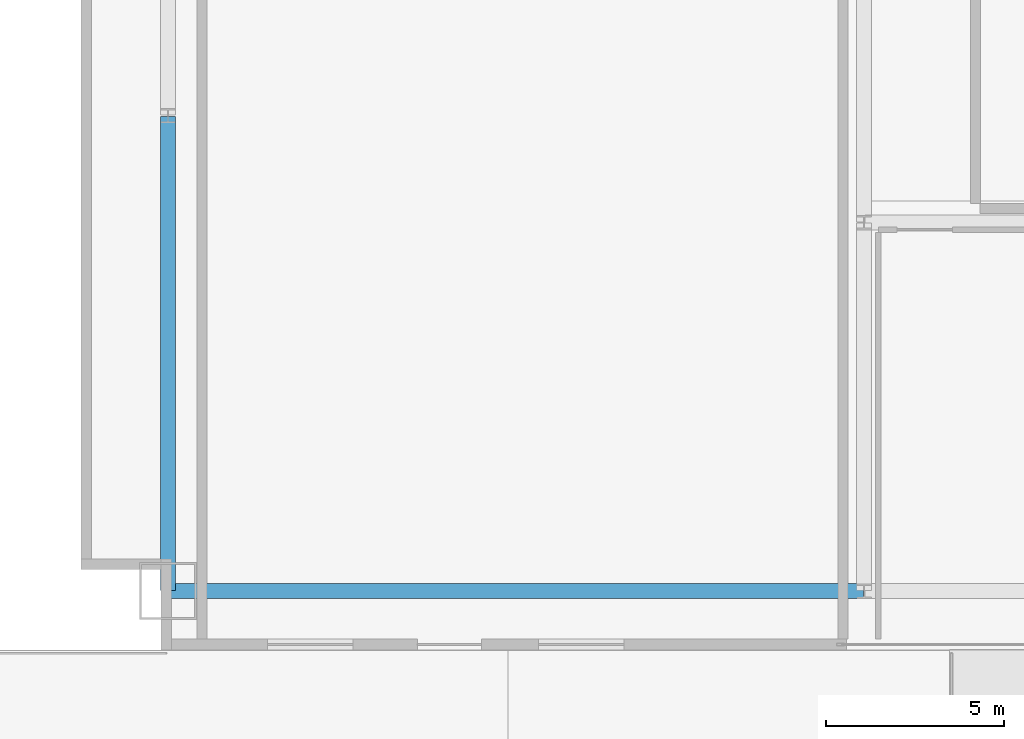
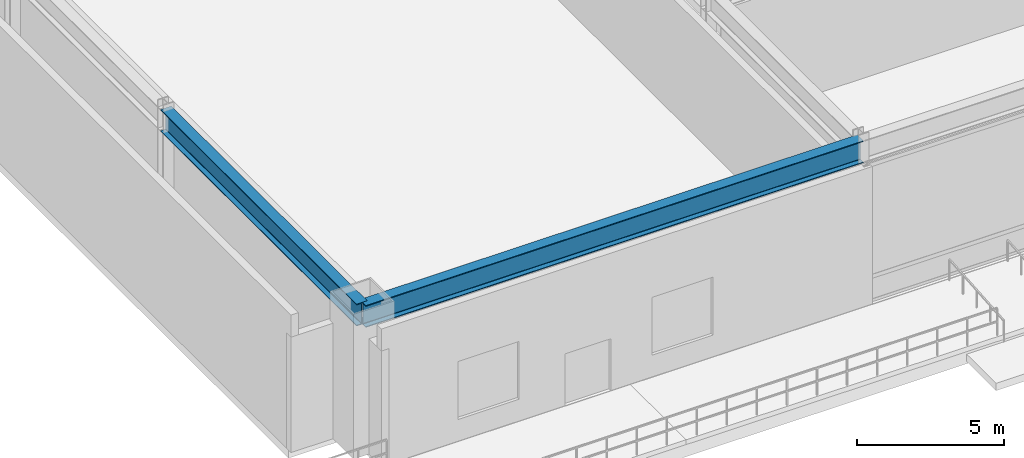
# One storey, part 3 of 17: 2 beams.
"""IFC4 building model written with IfcOpenShell, lengths in metres."""

import ifcopenshell
import ifcopenshell.guid

model = None  # the IFC model being written
_history = None  # IfcOwnerHistory: only IFC2X3 demands one
_inside = {}  # id of a spatial element -> (the spatial element, [elements in it])
_under = {}  # id of a project, library or spatial element -> (it, [spatial elements below it])
_declared = {}  # id of a project -> (the project, [libraries it declares])
_typed = {}  # id of a type object -> (the type object, [elements of that type])
_made_of = {}  # id of a material, layer set ... -> (it, [elements and type objects made of it])


def new_model(schema):
    """Start an empty IFC model of exactly this schema.

    Asked for "IFC4X3", IfcOpenShell would pick the latest addendum, in which some entities
    have other attributes; the version numbers below select the first issue.
    IFC2X3 requires an IfcOwnerHistory on every rooted entity: one is made here for all.
    """
    global model, _history
    if schema == "IFC4X3":
        model = ifcopenshell.file(schema_version=(4, 3, 0, 0))
    else:
        model = ifcopenshell.file(schema=schema)
    _inside.clear()
    _under.clear()
    _declared.clear()
    _typed.clear()
    _made_of.clear()
    _history = None
    if model.schema == "IFC2X3":
        org = make("IfcOrganization", Name="unknown")
        user = make(
            "IfcPersonAndOrganization",
            ThePerson=make("IfcPerson", FamilyName="unknown"),
            TheOrganization=org,
        )
        app = make(
            "IfcApplication",
            ApplicationDeveloper=org,
            Version="unknown",
            ApplicationFullName="unknown",
            ApplicationIdentifier="unknown",
        )
        _history = make(
            "IfcOwnerHistory",
            OwningUser=user,
            OwningApplication=app,
            ChangeAction="ADDED",
            CreationDate=0,
        )
    return model


def make(cls, **values):
    """One entity of the class cls with the attributes given. An attribute that is None is left unset."""
    return model.create_entity(
        cls, **{name: value for name, value in values.items() if value is not None}
    )


def rooted(cls, **values):
    """An entity with a GlobalId (a new one), such as an element, a storey or a relation."""
    return make(cls, GlobalId=ifcopenshell.guid.new(), OwnerHistory=_history, **values)


def si_unit(unit_type, name, prefix=None):
    """IfcSIUnit, for example si_unit("LENGTHUNIT", "METRE", prefix="MILLI")."""
    return make("IfcSIUnit", UnitType=unit_type, Prefix=prefix, Name=name)


def assignment(units):
    """IfcUnitAssignment: the units of a project."""
    return None if units is None else make("IfcUnitAssignment", Units=units)


def point(xyz):
    """IfcCartesianPoint."""
    return None if xyz is None else make("IfcCartesianPoint", Coordinates=xyz)


def direction(xyz):
    """IfcDirection."""
    return None if xyz is None else make("IfcDirection", DirectionRatios=xyz)


def frame(location, z_axis=None, x_axis=None):
    """IfcAxis2Placement3D, a coordinate frame: its origin and axes. An axis left out is left unset."""
    return make(
        "IfcAxis2Placement3D",
        Location=point(location),
        Axis=direction(z_axis),
        RefDirection=direction(x_axis),
    )


def frame_2d(location, x_axis=None):
    """IfcAxis2Placement2D, a coordinate frame in the plane: its origin and x axis."""
    return make(
        "IfcAxis2Placement2D", Location=point(location), RefDirection=direction(x_axis)
    )


def origin():
    """The frame at (0, 0, 0) with its axes left unset."""
    return frame((0.0, 0.0, 0.0))


def origin_2d():
    """The frame at (0, 0) in the plane with its x axis left unset."""
    return frame_2d((0.0, 0.0))


def place(relative_to, where):
    """IfcLocalPlacement: puts the frame where relative to a parent placement (None: the world)."""
    return make(
        "IfcLocalPlacement", PlacementRelTo=relative_to, RelativePlacement=where
    )


def context(
    kind, dimensions, precision=None, world=None, true_north=None, identifier=None
):
    """IfcGeometricRepresentationContext, for example the 3D "Model" context."""
    return make(
        "IfcGeometricRepresentationContext",
        ContextIdentifier=identifier,
        ContextType=kind,
        CoordinateSpaceDimension=dimensions,
        Precision=precision,
        WorldCoordinateSystem=world,
        TrueNorth=true_north,
    )


def subcontext(parent, identifier, kind, view, scale=None):
    """IfcGeometricRepresentationSubContext, for example "Body" below "Model"."""
    return make(
        "IfcGeometricRepresentationSubContext",
        ContextIdentifier=identifier,
        ContextType=kind,
        ParentContext=parent,
        TargetScale=scale,
        TargetView=view,
    )


def project(units=None, contexts=None):
    """IfcProject with its units and contexts."""
    return rooted(
        "IfcProject",
        Name="project",
        RepresentationContexts=contexts,
        UnitsInContext=assignment(units),
    )


def spatial(cls, under=None, at=None, **own):
    """A site, building, storey or space (cls), placed at a placement, below another one or the project."""
    s = rooted(cls, ObjectPlacement=at, **own)
    if under is not None:
        _under.setdefault(under.id(), (under, []))[1].append(s)
    return s


def profile(cls, at=None, kind="AREA", **sizes):
    """A parametric profile (cls). Its sizes go by their IFC names, for example OverallWidth=200.0."""
    return make(cls, ProfileType=kind, Position=at, **sizes)


def i_section(**sizes):
    """IfcIShapeProfileDef."""
    return profile("IfcIShapeProfileDef", **sizes)


def extrude(swept, where, along, depth):
    """IfcExtrudedAreaSolid: the profile swept, set in the frame where, extruded along a direction by depth."""
    return make(
        "IfcExtrudedAreaSolid",
        SweptArea=swept,
        Position=where,
        ExtrudedDirection=direction(along),
        Depth=depth,
    )


def shape(context_of_items, identifier, shape_type, items):
    """IfcShapeRepresentation: the items that make up one representation, for example the "Body"."""
    return make(
        "IfcShapeRepresentation",
        ContextOfItems=context_of_items,
        RepresentationIdentifier=identifier,
        RepresentationType=shape_type,
        Items=items,
    )


def source(mapping_origin, context_of_items, identifier, shape_type, items):
    """IfcRepresentationMap: a shape defined once, which mapped items show again and again."""
    return make(
        "IfcRepresentationMap",
        MappingOrigin=mapping_origin,
        MappedRepresentation=shape(context_of_items, identifier, shape_type, items),
    )


def transform(
    local_origin,
    x_axis=None,
    y_axis=None,
    z_axis=None,
    scale=None,
    scale2=None,
    scale3=None,
    uniform=True,
):
    """IfcCartesianTransformationOperator3D, or its non-uniform kind. x_axis, y_axis, z_axis: its Axis1, 2, 3."""
    if uniform:
        return make(
            "IfcCartesianTransformationOperator3D",
            Axis1=direction(x_axis),
            Axis2=direction(y_axis),
            LocalOrigin=point(local_origin),
            Scale=scale,
            Axis3=direction(z_axis),
        )
    return make(
        "IfcCartesianTransformationOperator3DnonUniform",
        Axis1=direction(x_axis),
        Axis2=direction(y_axis),
        LocalOrigin=point(local_origin),
        Scale=scale,
        Axis3=direction(z_axis),
        Scale2=scale2,
        Scale3=scale3,
    )


def mapped(mapping_source, mapping_target):
    """IfcMappedItem: shows the shape of a source again, moved by a transform."""
    return make(
        "IfcMappedItem", MappingSource=mapping_source, MappingTarget=mapping_target
    )


def material(Name=None, Category=None):
    """IfcMaterial."""
    return make("IfcMaterial", Name=Name, Category=Category)


def material_profile(
    of_material, cross_section, Name=None, Category=None, Priority=None
):
    """IfcMaterialProfile: a cross section and its material."""
    return make(
        "IfcMaterialProfile",
        Name=Name,
        Material=of_material,
        Profile=cross_section,
        Priority=Priority,
        Category=Category,
    )


def profile_set(profiles, Name=None, composite=None):
    """IfcMaterialProfileSet."""
    return make(
        "IfcMaterialProfileSet",
        Name=Name,
        MaterialProfiles=profiles,
        CompositeProfile=composite,
    )


def made_of(thing, what):
    """Note that an element or type object is made of a material, layer set ...; save() writes the relation."""
    if what is not None:
        _made_of.setdefault(what.id(), (what, []))[1].append(thing)
    return thing


def type_object(cls, material=None, **own):
    """A type object (cls), such as IfcWallType, which elements share."""
    return made_of(rooted(cls, **own), material)


def type_shapes(of_type, sources):
    """Give a type object the sources (RepresentationMaps) that its elements show as mapped items."""
    of_type.RepresentationMaps = sources


def element(
    cls,
    number,
    at=None,
    inside=None,
    cuts=None,
    type_object=None,
    material=None,
    context=None,
    identifier="Body",
    shape_type=None,
    held_by="IfcProductDefinitionShape",
    body=None,
    shapes=None,
    **own,
):
    """One element of the class cls, such as IfcWall. Its Tag is "e" and its number.

    at: its placement. inside: the storey or other place that contains it. cuts: it is an
    opening in that element (IfcRelVoidsElement). A single representation is given by context,
    identifier, shape_type and body (its items); several are given by shapes. held_by: the class
    of the entity that holds the representations. save() writes the other relations.
    """
    e = rooted(cls, Tag="e%d" % number, ObjectPlacement=at, **own)
    if body is not None:
        shapes = [shape(context, identifier, shape_type, body)]
    if shapes is not None:
        e.Representation = make(held_by, Representations=shapes)
    if inside is not None:
        _inside.setdefault(inside.id(), (inside, []))[1].append(e)
    if cuts is not None:
        rooted(
            "IfcRelVoidsElement", RelatingBuildingElement=cuts, RelatedOpeningElement=e
        )
    if type_object is not None:
        _typed.setdefault(type_object.id(), (type_object, []))[1].append(e)
    return made_of(e, material)


def aggregate(whole, parts):
    """IfcRelAggregates: a whole, such as a stair, and the parts it consists of."""
    return rooted("IfcRelAggregates", RelatingObject=whole, RelatedObjects=parts)


def save(model, path):
    """Write the relations noted so far, then the file.

    IfcRelAggregates (storeys below a building ...), IfcRelContainedInSpatialStructure (elements
    in a storey), IfcRelDefinesByType, IfcRelAssociatesMaterial and IfcRelDeclares: one each for
    every whole, place, type object, material and project.
    """
    for whole, parts in _under.values():
        aggregate(whole, parts)
    for where, things in _inside.values():
        rooted(
            "IfcRelContainedInSpatialStructure",
            RelatedElements=things,
            RelatingStructure=where,
        )
    for kind, things in _typed.values():
        rooted("IfcRelDefinesByType", RelatedObjects=things, RelatingType=kind)
    for what, things in _made_of.values():
        rooted("IfcRelAssociatesMaterial", RelatedObjects=things, RelatingMaterial=what)
    for by, libraries in _declared.values():
        rooted("IfcRelDeclares", RelatingContext=by, RelatedDefinitions=libraries)
    model.write(path)


model = new_model("IFC4")

# Units and contexts
model_context = context("Model", 3, precision=1e-05, world=origin(), true_north=direction((0.0, 1.0)))
body_context = subcontext(model_context, "Body", "Model", "MODEL_VIEW")
ifc_project = project(units=[si_unit("LENGTHUNIT", "METRE"), si_unit("AREAUNIT", "SQUARE_METRE"), si_unit("VOLUMEUNIT", "CUBIC_METRE"), si_unit("PLANEANGLEUNIT", "RADIAN"), si_unit("MASSUNIT", "GRAM", prefix="KILO")], contexts=[model_context])

# Site, building, storey
site_placement = place(None, origin())
site = spatial("IfcSite", under=ifc_project, at=site_placement, CompositionType="ELEMENT")
building_placement = place(site_placement, origin())
building = spatial("IfcBuilding", under=site, at=building_placement, Name="Varnel Quay Broadcast Tower", CompositionType="ELEMENT")
storey_placement = place(building_placement, origin())
storey = spatial("IfcBuildingStorey", under=building, at=storey_placement, Name="L00", CompositionType="ELEMENT", Elevation=0.0)

# Beams
ifc_material = material(Name="Structural Steel CSA G40.21 350W", Category="steel")
ifc_material_profile = material_profile(ifc_material, i_section(OverallWidth=0.41796875, OverallDepth=0.912109375, WebThickness=0.019287109375, FlangeThickness=0.031982421875, FilletRadius=0.02197265625, at=origin_2d()), Name="W920X342")
ifc_profile_set = profile_set([ifc_material_profile], Name="Structural Steel CSA G40.21 350W")
beam_type = type_object("IfcBeamType", Name="Girder_W920X342", PredefinedType="BEAM", material=ifc_profile_set)
shared_shape_1 = source(origin(), body_context, "Body", "SweptSolid", [
    extrude(i_section(OverallWidth=0.41796875, OverallDepth=0.912109375, WebThickness=0.019287109375, FlangeThickness=0.031982421875, FilletRadius=0.02197265625, at=origin_2d()), origin(), (0.0, 0.0, 1.0), 19.510009765625),
])
beam_1_placement = place(storey_placement, frame((2.469970703125, 1.64990234375, 5.263916015625), z_axis=(1.0, 0.0, 0.0), x_axis=(0.0, 1.0, 0.0)))
element("IfcBeam", 1, at=beam_1_placement, inside=storey, type_object=beam_type, Name="L00 Girder G-PS1", PredefinedType="BEAM", context=body_context, shape_type="MappedRepresentation", body=[
    mapped(shared_shape_1, transform((0.0, 0.0, 0.0), x_axis=(1.0, 0.0, 0.0), y_axis=(0.0, 1.0, 0.0), z_axis=(0.0, 0.0, 1.0), scale=1.0)),
])
shared_shape_2 = source(origin(), body_context, "Body", "SweptSolid", [
    extrude(i_section(OverallWidth=0.41796875, OverallDepth=0.912109375, WebThickness=0.019287109375, FlangeThickness=0.031982421875, FilletRadius=0.02197265625, at=origin_2d()), origin(), (0.0, 0.0, 1.0), 13.31005859375),
])
type_shapes(beam_type, [shared_shape_1, shared_shape_2])
beam_2_placement = place(storey_placement, frame((2.449951171875, 1.669921875, 5.263916015625), z_axis=(0.0, 1.0, 0.0), x_axis=(-1.0, 0.0, 0.0)))
element("IfcBeam", 2, at=beam_2_placement, inside=storey, type_object=beam_type, Name="L00 Girder G-PW1", PredefinedType="BEAM", context=body_context, shape_type="MappedRepresentation", body=[
    mapped(shared_shape_2, transform((0.0, 0.0, 0.0), x_axis=(1.0, 0.0, 0.0), y_axis=(0.0, 1.0, 0.0), z_axis=(0.0, 0.0, 1.0), scale=1.0)),
])

save(model, "model.ifc")
